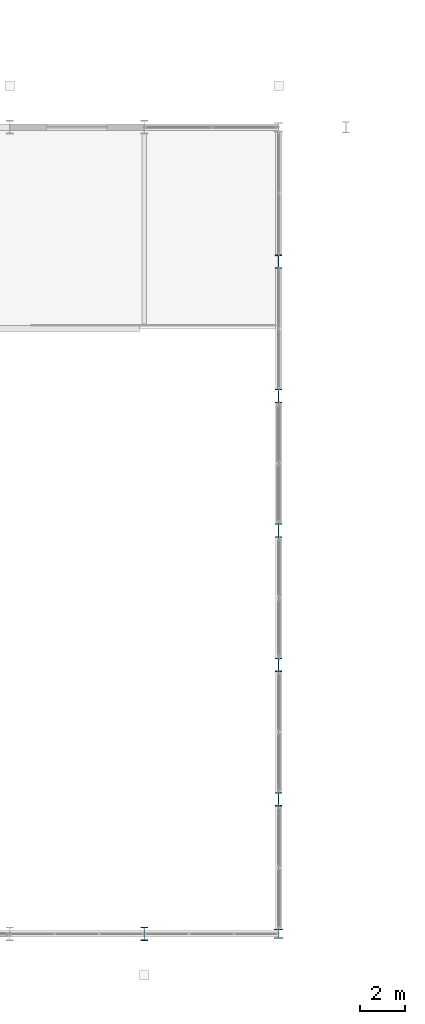
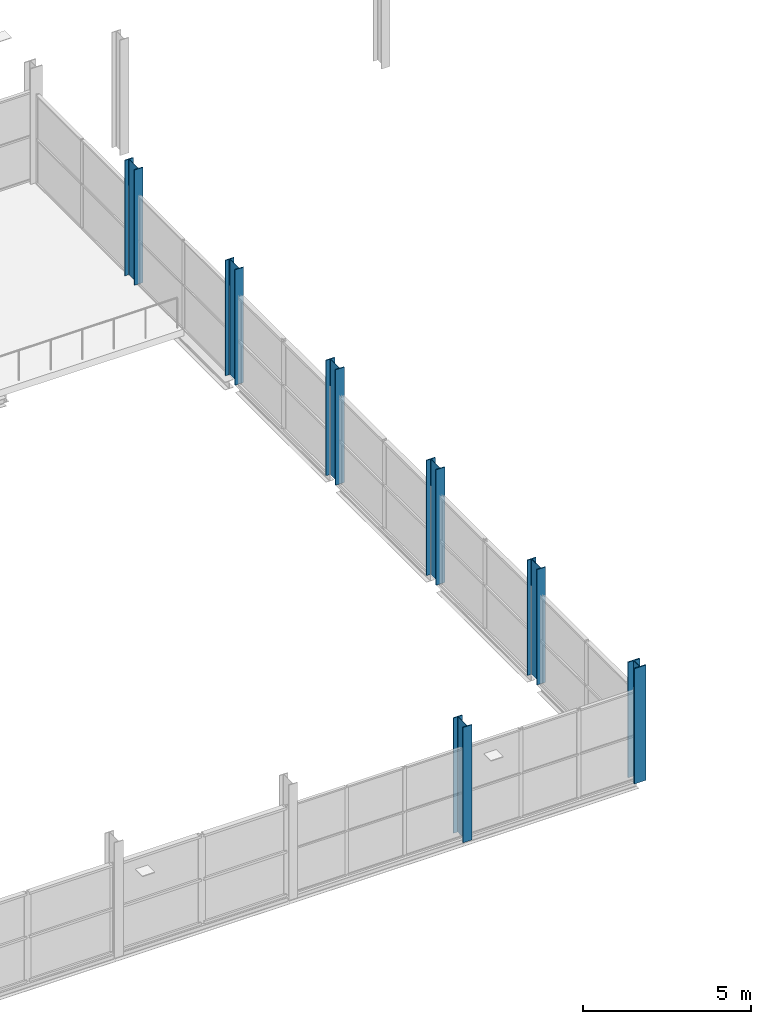
# One storey, part 2 of 135: 7 columns.
"""IFC4 building model written with IfcOpenShell, lengths in metres."""

from ifc_helpers import new_model, si_unit, direction, frame, origin, origin_2d, place, context, subcontext, project, spatial, i_section, extrude, material, material_profile, profile_set, type_object, element, save


model = new_model("IFC4")

# Units and contexts
model_context = context("Model", 3, precision=1e-05, world=origin(), true_north=direction((0.0, 1.0)))
body_context = subcontext(model_context, "Body", "Model", "MODEL_VIEW")
ifc_project = project(units=[si_unit("LENGTHUNIT", "METRE"), si_unit("AREAUNIT", "SQUARE_METRE"), si_unit("VOLUMEUNIT", "CUBIC_METRE"), si_unit("PLANEANGLEUNIT", "RADIAN"), si_unit("MASSUNIT", "GRAM", prefix="KILO")], contexts=[model_context])

# Site, building, storey
site_placement = place(None, origin())
site = spatial("IfcSite", under=ifc_project, at=site_placement, CompositionType="ELEMENT")
building_placement = place(site_placement, origin())
building = spatial("IfcBuilding", under=site, at=building_placement, Name="Deido Ridge Mobility Hub", CompositionType="ELEMENT")
storey_placement = place(building_placement, frame((0.0, 0.0, 4.199951171875)))
storey = spatial("IfcBuildingStorey", under=building, at=storey_placement, Name="L01", CompositionType="ELEMENT", Elevation=4.199951171875)

# Columns
ifc_material = material(Name="Steel S355J2 EN 10025-2", Category="steel")
ifc_material_profile_1 = material_profile(ifc_material, i_section(OverallWidth=0.406005859375, OverallDepth=0.416015625, WebThickness=0.02392578125, FlangeThickness=0.0390625, FilletRadius=0.014892578125, at=origin_2d()), Name="HD 400x382")
ifc_profile_set_1 = profile_set([ifc_material_profile_1], Name="Steel S355J2 EN 10025-2")
column_type_1 = type_object("IfcColumnType", Name="COL-HD400-382", PredefinedType="COLUMN", material=ifc_profile_set_1)
column_placement = place(storey_placement, frame((60.0, 0.0, 0.0), z_axis=(0.0, 0.0, 1.0), x_axis=(1.0, 0.0, 0.0)))
element("IfcColumn", 1, at=column_placement, inside=storey, type_object=column_type_1, Name="Structural column MC2", PredefinedType="COLUMN", context=body_context, shape_type="SweptSolid", body=[
    extrude(i_section(OverallWidth=0.406005859375, OverallDepth=0.416015625, WebThickness=0.02392578125, FlangeThickness=0.0390625, FilletRadius=0.014892578125, at=origin_2d()), origin(), (0.0, 0.0, 1.0), 4.199951171875),
])
ifc_material_profile_2 = material_profile(ifc_material, i_section(OverallWidth=0.300048828125, OverallDepth=0.60009765625, WebThickness=0.015380859375, FlangeThickness=0.030029296875, FilletRadius=0.027099609375, at=origin_2d()), Name="HEB 600")
ifc_profile_set_2 = profile_set([ifc_material_profile_2], Name="Steel S355J2 EN 10025-2")
column_type_2 = type_object("IfcColumnType", Name="COL-HEB600", PredefinedType="COLUMN", material=ifc_profile_set_2)
for number, where, z_axis, x_axis, name in (
    (2, (54.0, 0.0, 0.0), (0.0, 0.0, 1.0), (1.0, 0.0, 0.0), "Structural column C4"),
    (3, (60.0, 6.0, 0.0), (0.0, 0.0, 1.0), (1.0, 0.0, 0.0), "Structural column C4"),
    (4, (60.0, 12.0, 0.0), (0.0, 0.0, 1.0), (1.0, 0.0, 0.0), "Structural column C4"),
    (5, (60.0, 18.0, 0.0), (0.0, 0.0, 1.0), (1.0, 0.0, 0.0), "Structural column C4"),
    (6, (60.0, 24.0, 0.0), (0.0, 0.0, 1.0), (1.0, 0.0, 0.0), "Structural column C4"),
    (7, (60.0, 30.0, 0.0), (0.0, 0.0, 1.0), (1.0, 0.0, 0.0), "Structural column C4"),
):
    element("IfcColumn", number, at=place(storey_placement, frame(where, z_axis=z_axis, x_axis=x_axis)), inside=storey, type_object=column_type_2, Name=name, PredefinedType="COLUMN", context=body_context, shape_type="SweptSolid", body=[
        extrude(i_section(OverallWidth=0.300048828125, OverallDepth=0.60009765625, WebThickness=0.015380859375, FlangeThickness=0.030029296875, FilletRadius=0.027099609375, at=origin_2d()), origin(), (0.0, 0.0, 1.0), 4.199951171875),
    ])

save(model, "model.ifc")
